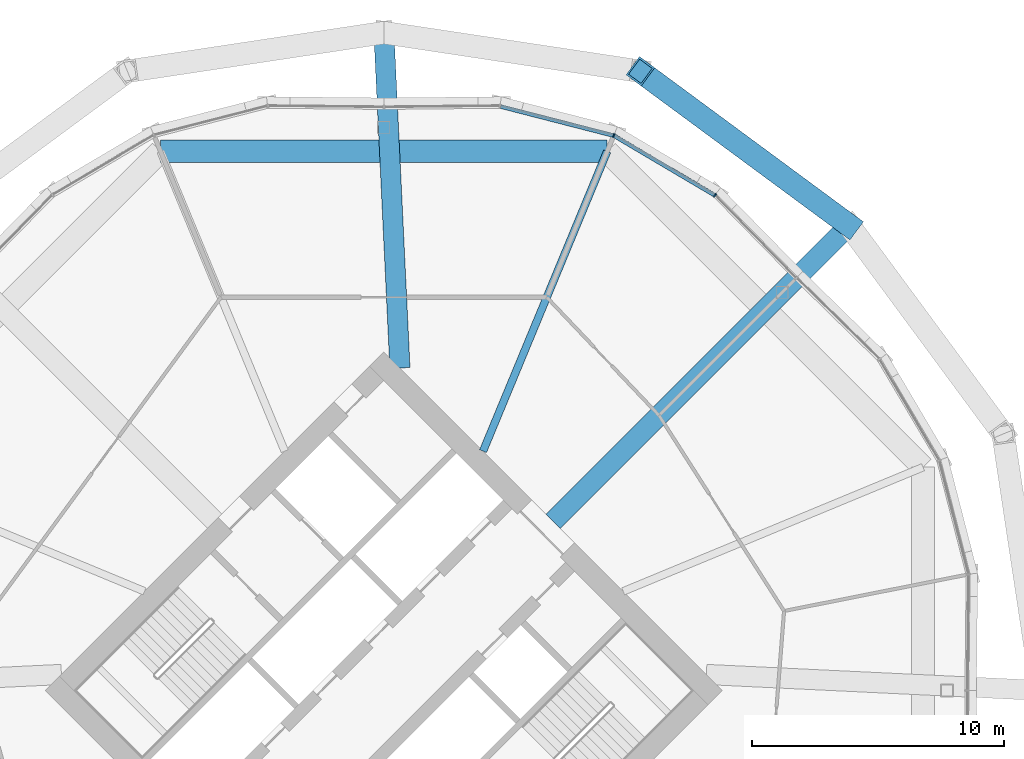
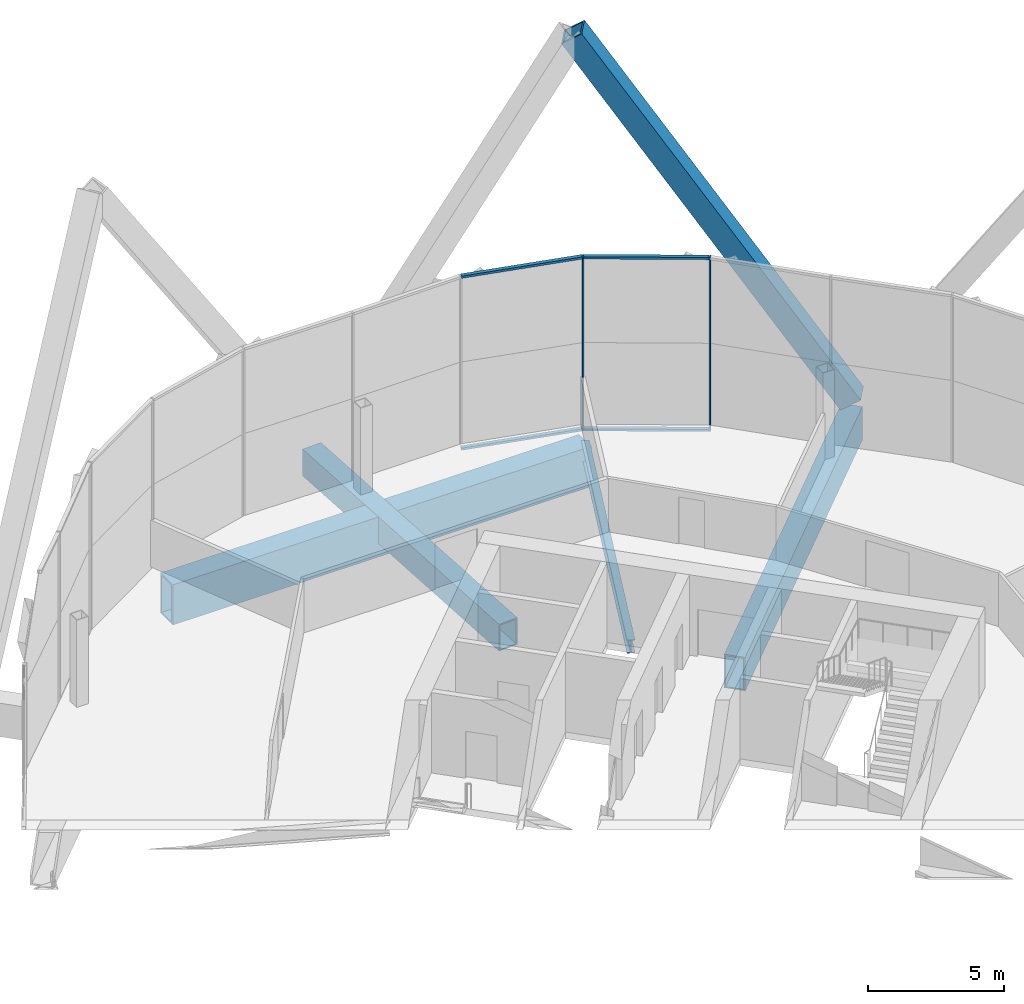
# One storey, part 17 of 28: 7 members, 4 beams, 1 element without a shape of its own.
"""IFC4 building model written with IfcOpenShell, lengths in metres."""

from ifc_helpers import new_model, si_unit, direction, frame, origin, origin_2d, place, context, subcontext, project, spatial, rectangle, hollow_rectangle, i_section, extrude, material, material_profile, profile_set, type_object, element, aggregate, save


model = new_model("IFC4")

# Units and contexts
model_context = context("Model", 3, precision=1e-05, world=origin(), true_north=direction((0.0, 1.0)))
body_context = subcontext(model_context, "Body", "Model", "MODEL_VIEW")
ifc_project = project(units=[si_unit("LENGTHUNIT", "METRE"), si_unit("AREAUNIT", "SQUARE_METRE"), si_unit("VOLUMEUNIT", "CUBIC_METRE"), si_unit("PLANEANGLEUNIT", "RADIAN"), si_unit("MASSUNIT", "GRAM", prefix="KILO")], contexts=[model_context])

# Site, building, storey
site_placement = place(None, origin())
site = spatial("IfcSite", under=ifc_project, at=site_placement, CompositionType="ELEMENT")
building_placement = place(site_placement, origin())
building = spatial("IfcBuilding", under=site, at=building_placement, Name="Ogive Gate Towers", CompositionType="ELEMENT")
storey_placement = place(building_placement, frame((0.0, 0.0, 115.199951171875)))
storey = spatial("IfcBuildingStorey", under=building, at=storey_placement, Name="L27", CompositionType="ELEMENT", Elevation=115.199951171875)

# Member
ifc_material_1 = material(Name="Steel SM460", Category="steel")
ifc_material_profile_1 = material_profile(ifc_material_1, hollow_rectangle(XDim=0.89990234375, YDim=0.89990234375, WallThickness=0.080078125, at=origin_2d()), Name="BX 900x900x80")
ifc_profile_set_1 = profile_set([ifc_material_profile_1], Name="Steel SM460")
member_type_1 = type_object("IfcMemberType", Name="Diagrid diagonal BX 900x900x80", PredefinedType="BRACE", material=ifc_profile_set_1)
member_1_placement = place(storey_placement, frame((54.462646484375, 18.462646484375, 0.0), z_axis=(-0.443175302272, 0.327039025082, 0.83465030254), x_axis=(-0.593774070845, -0.804631811944, 0.0)))
element("IfcMember", 1, at=member_1_placement, inside=storey, type_object=member_type_1, Name="T2/L27/SDG004", PredefinedType="BRACE", context=body_context, shape_type="SweptSolid", body=[
    extrude(hollow_rectangle(XDim=0.89990234375, YDim=0.89990234375, WallThickness=0.080078125, at=origin_2d()), origin(), (0.0, 0.0, 1.0), 18.690673828125),
])

# Beams
ifc_material_profile_2 = material_profile(ifc_material_1, hollow_rectangle(XDim=0.89990234375, YDim=1.800048828125, WallThickness=0.080078125, at=origin_2d()), Name="BX 1800x900x80")
ifc_profile_set_2 = profile_set([ifc_material_profile_2], Name="Steel SM460")
beam_type_1 = type_object("IfcBeamType", Name="Edge girder BX 1800x900x80", PredefinedType="BEAM", material=ifc_profile_set_2)
beam_1_placement = place(storey_placement, frame((44.863037109375, 21.39697265625, -1.199951171875), z_axis=(-1.0, 0.0, 0.0), x_axis=(0.0, -1.0, 0.0)))
element("IfcBeam", 2, at=beam_1_placement, inside=storey, type_object=beam_type_1, Name="T2/L27/SBM022", PredefinedType="BEAM", context=body_context, shape_type="SweptSolid", body=[
    extrude(hollow_rectangle(XDim=0.89990234375, YDim=1.800048828125, WallThickness=0.080078125, at=origin_2d()), origin(), (0.0, 0.0, 1.0), 17.72607421875),
])
ifc_material_2 = material(Name="Steel SM355", Category="steel")
ifc_material_profile_3 = material_profile(ifc_material_2, i_section(OverallWidth=0.300048828125, OverallDepth=0.590087890625, WebThickness=0.012939453125, FlangeThickness=0.02490234375, FilletRadius=0.027099609375, at=origin_2d()), Name="HE 600 A")
ifc_profile_set_3 = profile_set([ifc_material_profile_3], Name="Steel SM355")
beam_type_2 = type_object("IfcBeamType", Name="Radial floor beam HE 600 A", PredefinedType="BEAM", material=ifc_profile_set_3)
beam_2_placement = place(storey_placement, frame((39.93505859375, 9.5, -0.594970703125), z_axis=(0.382689470177, 0.923877031545, 0.0), x_axis=(-0.923877031545, 0.382689470177, 0.0)))
element("IfcBeam", 3, at=beam_2_placement, inside=storey, type_object=beam_type_2, Name="T2/L27/SBM011", PredefinedType="BEAM", context=body_context, shape_type="SweptSolid", body=[
    extrude(i_section(OverallWidth=0.300048828125, OverallDepth=0.590087890625, WebThickness=0.012939453125, FlangeThickness=0.02490234375, FilletRadius=0.027099609375, at=origin_2d()), origin(), (0.0, 0.0, 1.0), 12.877197265625),
])

# Curtain wall, members
ifc_material_3 = material(Name="Pale metal aluminium", Category="aluminium")
curtain_wall_type = type_object("IfcCurtainWallType", Name="Tower unitised wall, low zone", PredefinedType="NOTDEFINED", material=ifc_material_3)
curtain_wall_placement = place(storey_placement, origin())
curtain_wall = element("IfcCurtainWall", 4, at=curtain_wall_placement, inside=storey, type_object=curtain_wall_type, Name="CW1 T2 ECW02", PredefinedType="NOTDEFINED")
ifc_material_profile_4 = material_profile(ifc_material_3, rectangle(XDim=0.159912109375, YDim=0.06005859375, at=origin_2d()), Name="60 x 160 aluminium box")
ifc_profile_set_4 = profile_set([ifc_material_profile_4], Name="Pale metal aluminium")
member_type_2 = type_object("IfcMemberType", Name="Tower unitised wall, low zone mullion 60 x 160", PredefinedType="MULLION", material=ifc_profile_set_4)
member_2_placement = place(storey_placement, frame((49.13916015625, 19.653076171875, -0.300048828125), z_axis=(0.0, 0.0, 1.0), x_axis=(0.616843572223, 0.787085768775, 0.0)))
member_2 = element("IfcMember", 5, at=member_2_placement, type_object=member_type_2, Name="CW1 mullion", PredefinedType="MULLION", context=body_context, shape_type="SweptSolid", body=[
    extrude(rectangle(XDim=0.159912109375, YDim=0.06005859375, at=origin_2d()), origin(), (0.0, 0.0, 1.0), 7.800048828125),
])
member_3_placement = place(storey_placement, frame((45.12353515625, 22.026123046875, -0.300048828125), z_axis=(0.0, 0.0, 1.0), x_axis=(0.382683432365, 0.923879532511, 0.0)))
member_3 = element("IfcMember", 6, at=member_3_placement, type_object=member_type_2, Name="CW1 mullion", PredefinedType="MULLION", context=body_context, shape_type="SweptSolid", body=[
    extrude(rectangle(XDim=0.159912109375, YDim=0.06005859375, at=origin_2d()), origin(), (0.0, 0.0, 1.0), 7.800048828125),
])
ifc_material_profile_5 = material_profile(ifc_material_3, rectangle(XDim=0.159912109375, YDim=0.10009765625, at=origin_2d()), Name="100 x 160 aluminium box")
ifc_profile_set_5 = profile_set([ifc_material_profile_5], Name="Pale metal aluminium")
member_type_3 = type_object("IfcMemberType", Name="Tower unitised wall, low zone transom 100 x 160", PredefinedType="USERDEFINED", material=ifc_profile_set_5)
member_4_placement = place(storey_placement, frame((49.115478515625, 19.666748046875, 7.449951171875), z_axis=(-0.860885405398, 0.508798898164, 0.0), x_axis=(-0.508798898164, -0.860885405398, 0.0)))
member_4 = element("IfcMember", 7, at=member_4_placement, type_object=member_type_3, Name="CW1 transom", ObjectType="TRANSOM", PredefinedType="USERDEFINED", context=body_context, shape_type="SweptSolid", body=[
    extrude(rectangle(XDim=0.159912109375, YDim=0.10009765625, at=origin_2d()), origin(), (0.0, 0.0, 1.0), 4.60986328125),
])
member_5_placement = place(storey_placement, frame((49.115478515625, 19.666748046875, -0.25), z_axis=(-0.860885405398, 0.508798898164, 0.0), x_axis=(-0.508798898164, -0.860885405398, 0.0)))
member_5 = element("IfcMember", 8, at=member_5_placement, type_object=member_type_3, Name="CW1 transom", ObjectType="TRANSOM", PredefinedType="USERDEFINED", context=body_context, shape_type="SweptSolid", body=[
    extrude(rectangle(XDim=0.159912109375, YDim=0.10009765625, at=origin_2d()), origin(), (0.0, 0.0, 1.0), 4.60986328125),
])
member_6_placement = place(storey_placement, frame((45.09716796875, 22.03271484375, 7.449951171875), z_axis=(-0.968497677012, 0.249022588577, 0.0), x_axis=(-0.249022588577, -0.968497677012, 0.0)))
member_6 = element("IfcMember", 9, at=member_6_placement, type_object=member_type_3, Name="CW1 transom", ObjectType="TRANSOM", PredefinedType="USERDEFINED", context=body_context, shape_type="SweptSolid", body=[
    extrude(rectangle(XDim=0.159912109375, YDim=0.10009765625, at=origin_2d()), origin(), (0.0, 0.0, 1.0), 4.60986328125),
])
member_7_placement = place(storey_placement, frame((45.09716796875, 22.03271484375, -0.25), z_axis=(-0.968497677012, 0.249022588577, 0.0), x_axis=(-0.249022588577, -0.968497677012, 0.0)))
member_7 = element("IfcMember", 10, at=member_7_placement, type_object=member_type_3, Name="CW1 transom", ObjectType="TRANSOM", PredefinedType="USERDEFINED", context=body_context, shape_type="SweptSolid", body=[
    extrude(rectangle(XDim=0.159912109375, YDim=0.10009765625, at=origin_2d()), origin(), (0.0, 0.0, 1.0), 4.60986328125),
])
aggregate(curtain_wall, [member_2, member_3, member_4, member_5, member_6, member_7])

# Beams
ifc_material_profile_6 = material_profile(ifc_material_1, hollow_rectangle(XDim=0.800048828125, YDim=1.199951171875, WallThickness=0.050048828125, at=origin_2d()), Name="BX 1200x800x50")
ifc_profile_set_6 = profile_set([ifc_material_profile_6], Name="Steel SM460")
beam_type_3 = type_object("IfcBeamType", Name="Transfer radial beam BX 1200x800x50", PredefinedType="BEAM", material=ifc_profile_set_6)
beam_3_placement = place(storey_placement, frame((36.636474609375, 12.798583984375, -0.89990234375), z_axis=(-0.047759245289, 0.998858876163, 0.0), x_axis=(-0.998858876163, -0.047759245289, 0.0)))
element("IfcBeam", 11, at=beam_3_placement, inside=storey, type_object=beam_type_3, Name="T2/L27/SBM012", PredefinedType="BEAM", context=body_context, shape_type="SweptSolid", body=[
    extrude(hollow_rectangle(XDim=0.800048828125, YDim=1.199951171875, WallThickness=0.050048828125, at=origin_2d()), origin(), (0.0, 0.0, 1.0), 13.32666015625),
])
ifc_material_profile_7 = material_profile(ifc_material_1, hollow_rectangle(XDim=0.800048828125, YDim=1.5, WallThickness=0.06005859375, at=origin_2d()), Name="BX 1500x800x60")
ifc_profile_set_7 = profile_set([ifc_material_profile_7], Name="Steel SM460")
beam_type_4 = type_object("IfcBeamType", Name="Transfer radial beam BX 1500x800x60", PredefinedType="BEAM", material=ifc_profile_set_7)
beam_4_placement = place(storey_placement, frame((42.717529296875, 6.717529296875, -1.050048828125), z_axis=(0.707106781187, 0.707106781187, 0.0), x_axis=(-0.707106781187, 0.707106781187, 0.0)))
element("IfcBeam", 12, at=beam_4_placement, inside=storey, type_object=beam_type_4, Name="T2/L27/SBM010", PredefinedType="BEAM", context=body_context, shape_type="SweptSolid", body=[
    extrude(hollow_rectangle(XDim=0.800048828125, YDim=1.5, WallThickness=0.06005859375, at=origin_2d()), origin(), (0.0, 0.0, 1.0), 16.610107421875),
])

save(model, "model.ifc")
